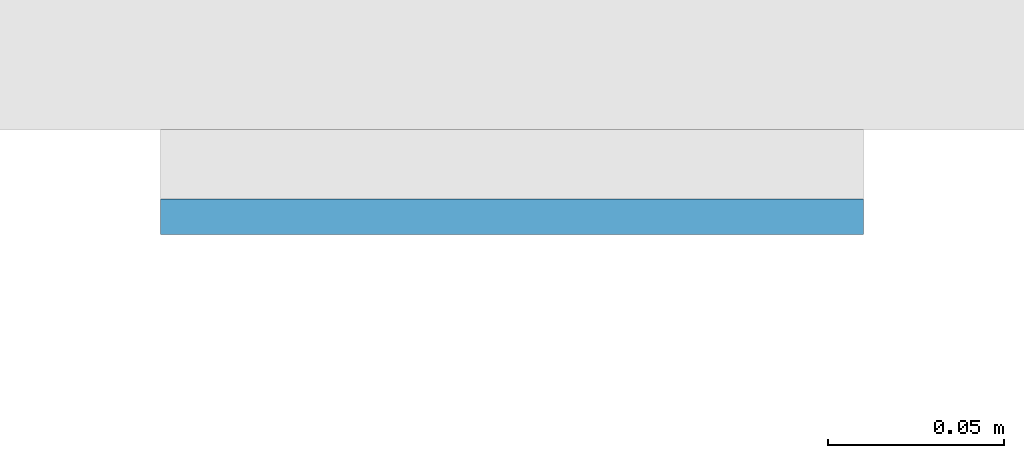
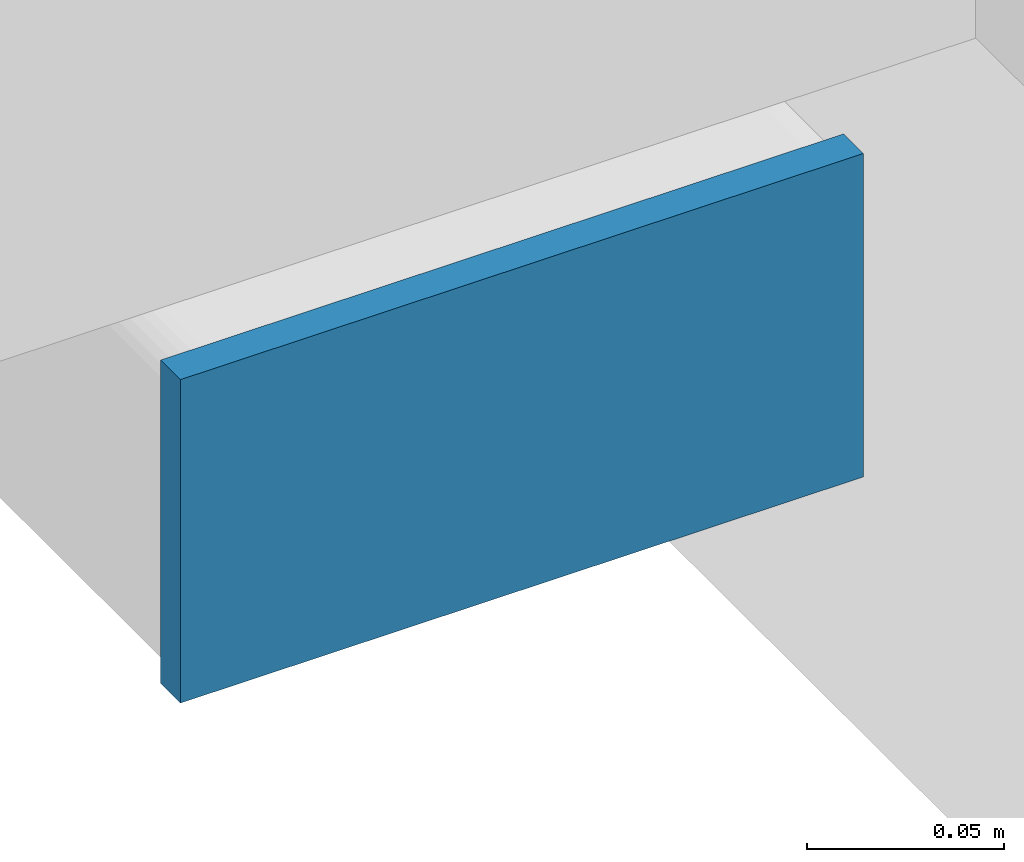
# One storey, part 8 of 20: 1 plate.
"""IFC4 building model written with IfcOpenShell, lengths in metres."""

from ifc_helpers import new_model, si_unit, direction, frame, origin, origin_2d, place, context, subcontext, project, spatial, rectangle, extrude, material, layer, layer_set, type_object, element, save


model = new_model("IFC4")

# Units and contexts
model_context = context("Model", 3, precision=1e-05, world=origin(), true_north=direction((0.0, 1.0)))
body_context = subcontext(model_context, "Body", "Model", "MODEL_VIEW")
ifc_project = project(units=[si_unit("LENGTHUNIT", "METRE"), si_unit("AREAUNIT", "SQUARE_METRE"), si_unit("VOLUMEUNIT", "CUBIC_METRE"), si_unit("PLANEANGLEUNIT", "RADIAN"), si_unit("MASSUNIT", "GRAM", prefix="KILO")], contexts=[model_context])

# Site, building, storey
site_placement = place(None, origin())
site = spatial("IfcSite", under=ifc_project, at=site_placement, CompositionType="ELEMENT")
building_placement = place(site_placement, origin())
building = spatial("IfcBuilding", under=site, at=building_placement, Name="Cleftline Residences", CompositionType="ELEMENT")
storey_placement = place(building_placement, frame((0.0, 0.0, 153.800048828125)))
storey = spatial("IfcBuildingStorey", under=building, at=storey_placement, Name="L40", CompositionType="ELEMENT", Elevation=153.800048828125)

# Plate
ifc_material = material(Name="Steel S355, hot-dip galvanised", Category="steel")
ifc_layer = layer(ifc_material, 0.010009765625)
ifc_layer_set = layer_set([ifc_layer], Name="BAGUETTE CARRIER END PLATE 200X100X10")
plate_type = type_object("IfcPlateType", Name="BAGUETTE CARRIER END PLATE 200X100X10", PredefinedType="USERDEFINED", material=ifc_layer_set)
plate_placement = place(storey_placement, frame((-0.85009765625, 3.695068359375, -0.10009765625), z_axis=(0.0, 0.0, 1.0), x_axis=(-1.0, 0.0, 0.0)))
element("IfcPlate", 1, at=plate_placement, inside=storey, type_object=plate_type, Name="Baguette carrier end plate", ObjectType="BAGUETTE CARRIER END PLATE", PredefinedType="USERDEFINED", context=body_context, shape_type="SweptSolid", body=[
    extrude(rectangle(XDim=0.199951171875, YDim=0.010009765625, at=origin_2d()), origin(), (0.0, 0.0, 1.0), 0.10009765625),
])

save(model, "model.ifc")
